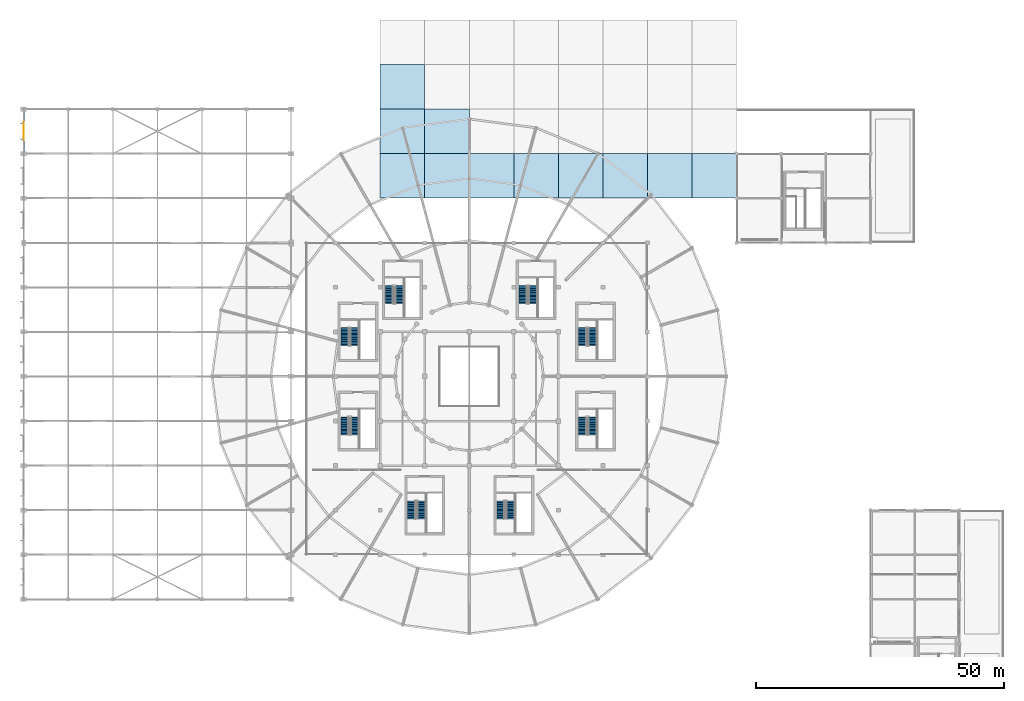
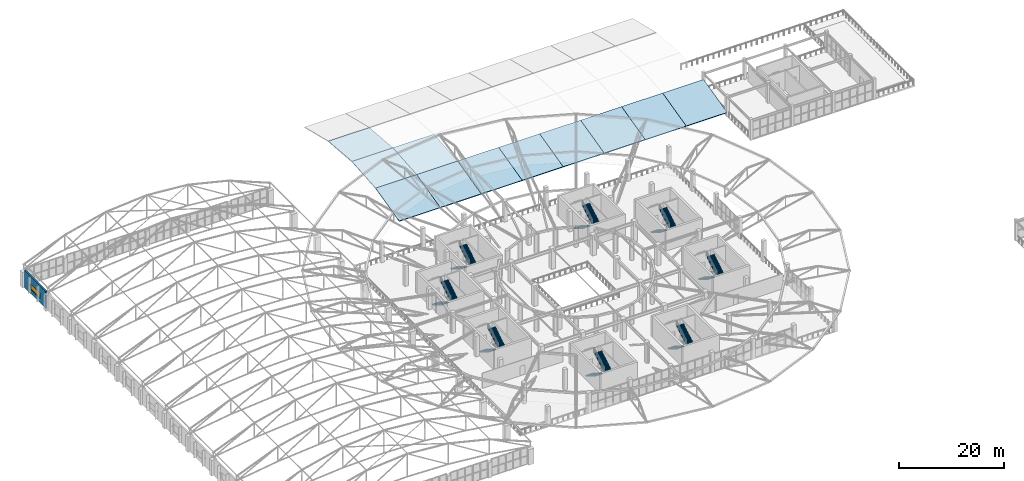
# One storey, part 144 of 167: 16 stair flights, 11 roofs, 1 wall, 1 window, 1 opening, 8 elements without a shape of their own.
"""IFC4 building model written with IfcOpenShell, lengths in metres."""

from ifc_helpers import new_model, si_unit, direction, frame, frame_2d, origin, place, context, subcontext, project, spatial, polyline, rectangle, outline, extrude, material, layer, layer_set, type_object, element, fill, aggregate, save


model = new_model("IFC4")

# Units and contexts
model_context = context("Model", 3, precision=1e-05, world=origin(), true_north=direction((0.0, 1.0)))
body_context = subcontext(model_context, "Body", "Model", "MODEL_VIEW")
ifc_project = project(units=[si_unit("LENGTHUNIT", "METRE"), si_unit("AREAUNIT", "SQUARE_METRE"), si_unit("VOLUMEUNIT", "CUBIC_METRE"), si_unit("PLANEANGLEUNIT", "RADIAN"), si_unit("MASSUNIT", "GRAM", prefix="KILO")], contexts=[model_context])

# Site, building, storey
site_placement = place(None, origin())
site = spatial("IfcSite", under=ifc_project, at=site_placement, CompositionType="ELEMENT")
building_placement = place(site_placement, origin())
building = spatial("IfcBuilding", under=site, at=building_placement, Name="Dornveld Trade and Exhibition Forum", CompositionType="ELEMENT")
storey_placement = place(building_placement, frame((0.0, 0.0, 16.800048828125)))
storey = spatial("IfcBuildingStorey", under=building, at=storey_placement, Name="L03", CompositionType="ELEMENT", Elevation=16.800048828125)

# Wall, opening, window
ifc_material_1 = material(Name="Precast concrete C50/60", Category="concrete")
ifc_layer_1 = layer(ifc_material_1, 0.31005859375)
ifc_layer_set_1 = layer_set([ifc_layer_1], Name="Precast concrete C50/60")
wall_type = type_object("IfcWallType", Name="WL-EXT-PC310", PredefinedType="SOLIDWALL", material=ifc_layer_set_1)
wall_placement = place(storey_placement, frame((27.0, 134.550537109375, 0.0), z_axis=(0.0, 0.0, 1.0), x_axis=(0.0, -1.0, 0.0)))
wall = element("IfcWall", 1, at=wall_placement, inside=storey, type_object=wall_type, Name="L03 precast facade wall 79", PredefinedType="SOLIDWALL", context=body_context, shape_type="SweptSolid", body=[
    extrude(rectangle(XDim=8.10107421875, YDim=0.31005859375, at=frame_2d((4.050537109375, 0.0))), origin(), (0.0, 0.0, 1.0), 4.02001953125),
])
opening_placement = place(wall_placement, frame((2.25048828125, 0.0, 1.0)))
opening = element("IfcOpeningElement", 2, at=opening_placement, cuts=wall, Name="Opening W-58", PredefinedType="OPENING", context=body_context, shape_type="SweptSolid", body=[
    extrude(rectangle(XDim=3.60009765625, YDim=1.300048828125, at=frame_2d((1.800048828125, 0.64990234375))), frame((0.0, 0.1650390625, 0.0), z_axis=(0.0, -1.0, 0.0), x_axis=(1.0, 0.0, 0.0)), (0.0, 0.0, 1.0), 0.330078125),
])
ifc_material_2 = material(Name="Dark-bronze anodised aluminium and low-E glass", Category="aluminium")
window_type = type_object("IfcWindowType", Name="WIN-AL-58", PartitioningType="DOUBLE_PANEL_VERTICAL", PredefinedType="WINDOW", material=ifc_material_2)
window_placement = place(opening_placement, origin())
window = element("IfcWindow", 3, at=window_placement, inside=storey, type_object=window_type, Name="L03 facade window 58", OverallHeight=1.300048828125, OverallWidth=3.60009765625, PartitioningType="SINGLE_PANEL", PredefinedType="WINDOW", context=body_context, shape_type="SweptSolid", body=[
    extrude(rectangle(XDim=3.60009765625, YDim=1.300048828125, at=frame_2d((1.800048828125, 0.64990234375))), frame((0.0, 0.030029296875, 0.0), z_axis=(0.0, -1.0, 0.0), x_axis=(1.0, 0.0, 0.0)), (0.0, 0.0, 1.0), 0.06005859375),
])
fill(opening, window)

# Stair, stair flights
ifc_material_3 = material(Name="Concrete C40/50", Category="concrete")
stair_type_1 = type_object("IfcStairType", Name="ST-2RET-480A", PredefinedType="HALF_TURN_STAIR", material=ifc_material_3)
stair_1_placement = place(storey_placement, origin())
stair_1 = element("IfcStair", 4, at=stair_1_placement, inside=storey, type_object=stair_type_1, Name="CORE-01 escape stair L03 to L04", PredefinedType="HALF_TURN_STAIR")
ifc_material_4 = material(Name="Concrete C40/50", Category="concrete")
ifc_layer_2 = layer(ifc_material_4, 0.179931640625)
ifc_layer_set_2 = layer_set([ifc_layer_2], Name="Concrete C40/50")
stair_flight_type_1 = type_object("IfcStairFlightType", Name="STF-155", PredefinedType="STRAIGHT", material=ifc_layer_set_2)
stair_flight_1_placement = place(storey_placement, frame((139.8798828125, 90.85009765625, 0.0), z_axis=(0.0, 0.0, 1.0), x_axis=(0.0, -1.0, 0.0)))
stair_flight_1 = element("IfcStairFlight", 5, at=stair_flight_1_placement, type_object=stair_flight_type_1, Name="ST-01-L03 flight 1", NumberOfRisers=14, NumberOfTreads=13, PredefinedType="STRAIGHT", RiserHeight=0.171428571, TreadLength=0.28, context=body_context, shape_type="SweptSolid", body=[
    extrude(outline(polyline([(0.0, 0.0), (0.0, 0.17138671875), (0.280029296875, 0.17138671875), (0.280029296875, 0.3427734375), (0.56005859375, 0.3427734375), (0.56005859375, 0.514404296875), (0.840087890625, 0.514404296875), (0.840087890625, 0.685791015625), (1.1201171875, 0.685791015625), (1.1201171875, 0.857177734375), (1.39990234375, 0.857177734375), (1.39990234375, 1.028564453125), (1.679931640625, 1.028564453125), (1.679931640625, 1.199951171875), (1.9599609375, 1.199951171875), (1.9599609375, 1.371337890625), (2.239990234375, 1.371337890625), (2.239990234375, 1.54296875), (2.52001953125, 1.54296875), (2.52001953125, 1.71435546875), (2.800048828125, 1.71435546875), (2.800048828125, 1.8857421875), (3.080078125, 1.8857421875), (3.080078125, 2.05712890625), (3.360107421875, 2.05712890625), (3.360107421875, 2.228515625), (3.639892578125, 2.228515625), (3.639892578125, 2.39990234375), (3.639892578125, 2.041015625), (0.30615234375, 0.0), (0.0, 0.0)])), frame((0.0, 0.77490234375, 0.0), z_axis=(0.0, -1.0, 0.0), x_axis=(1.0, 0.0, 0.0)), (0.0, 0.0, 1.0), 1.550048828125),
])
stair_flight_2_placement = place(storey_placement, frame((141.820068359375, 87.2099609375, 2.39990234375), z_axis=(0.0, 0.0, 1.0), x_axis=(0.0, 1.0, 0.0)))
stair_flight_2 = element("IfcStairFlight", 6, at=stair_flight_2_placement, type_object=stair_flight_type_1, Name="ST-01-L03 flight 2", NumberOfRisers=14, NumberOfTreads=13, PredefinedType="STRAIGHT", RiserHeight=0.171428571, TreadLength=0.28, context=body_context, shape_type="SweptSolid", body=[
    extrude(outline(polyline([(0.0, 0.0), (0.0, 0.17138671875), (0.280029296875, 0.17138671875), (0.280029296875, 0.3427734375), (0.56005859375, 0.3427734375), (0.56005859375, 0.514404296875), (0.840087890625, 0.514404296875), (0.840087890625, 0.685791015625), (1.1201171875, 0.685791015625), (1.1201171875, 0.857177734375), (1.39990234375, 0.857177734375), (1.39990234375, 1.028564453125), (1.679931640625, 1.028564453125), (1.679931640625, 1.199951171875), (1.9599609375, 1.199951171875), (1.9599609375, 1.371337890625), (2.239990234375, 1.371337890625), (2.239990234375, 1.54296875), (2.52001953125, 1.54296875), (2.52001953125, 1.71435546875), (2.800048828125, 1.71435546875), (2.800048828125, 1.8857421875), (3.080078125, 1.8857421875), (3.080078125, 2.05712890625), (3.360107421875, 2.05712890625), (3.360107421875, 2.228515625), (3.639892578125, 2.228515625), (3.639892578125, 2.39990234375), (3.639892578125, 2.041015625), (0.30615234375, 0.0), (0.0, 0.0)])), frame((0.0, 0.77490234375, 0.0), z_axis=(0.0, -1.0, 0.0), x_axis=(1.0, 0.0, 0.0)), (0.0, 0.0, 1.0), 1.550048828125),
])
aggregate(stair_1, [stair_flight_1, stair_flight_2])

stair_2_placement = place(storey_placement, origin())
stair_2 = element("IfcStair", 7, at=stair_2_placement, inside=storey, type_object=stair_type_1, Name="CORE-03 escape stair L03 to L04", PredefinedType="HALF_TURN_STAIR")
stair_flight_3_placement = place(storey_placement, frame((100.8798828125, 99.35009765625, 0.0), z_axis=(0.0, 0.0, 1.0), x_axis=(0.0, -1.0, 0.0)))
stair_flight_3 = element("IfcStairFlight", 8, at=stair_flight_3_placement, type_object=stair_flight_type_1, Name="ST-03-L03 flight 1", NumberOfRisers=14, NumberOfTreads=13, PredefinedType="STRAIGHT", RiserHeight=0.171428571, TreadLength=0.28, context=body_context, shape_type="SweptSolid", body=[
    extrude(outline(polyline([(0.0, 0.0), (0.0, 0.17138671875), (0.280029296875, 0.17138671875), (0.280029296875, 0.3427734375), (0.56005859375, 0.3427734375), (0.56005859375, 0.514404296875), (0.840087890625, 0.514404296875), (0.840087890625, 0.685791015625), (1.1201171875, 0.685791015625), (1.1201171875, 0.857177734375), (1.39990234375, 0.857177734375), (1.39990234375, 1.028564453125), (1.679931640625, 1.028564453125), (1.679931640625, 1.199951171875), (1.9599609375, 1.199951171875), (1.9599609375, 1.371337890625), (2.239990234375, 1.371337890625), (2.239990234375, 1.54296875), (2.52001953125, 1.54296875), (2.52001953125, 1.71435546875), (2.800048828125, 1.71435546875), (2.800048828125, 1.8857421875), (3.080078125, 1.8857421875), (3.080078125, 2.05712890625), (3.360107421875, 2.05712890625), (3.360107421875, 2.228515625), (3.639892578125, 2.228515625), (3.639892578125, 2.39990234375), (3.639892578125, 2.041015625), (0.30615234375, 0.0), (0.0, 0.0)])), frame((0.0, 0.77490234375, 0.0), z_axis=(0.0, -1.0, 0.0), x_axis=(1.0, 0.0, 0.0)), (0.0, 0.0, 1.0), 1.550048828125),
])
stair_flight_4_placement = place(storey_placement, frame((102.820068359375, 95.7099609375, 2.39990234375), z_axis=(0.0, 0.0, 1.0), x_axis=(0.0, 1.0, 0.0)))
stair_flight_4 = element("IfcStairFlight", 9, at=stair_flight_4_placement, type_object=stair_flight_type_1, Name="ST-03-L03 flight 2", NumberOfRisers=14, NumberOfTreads=13, PredefinedType="STRAIGHT", RiserHeight=0.171428571, TreadLength=0.28, context=body_context, shape_type="SweptSolid", body=[
    extrude(outline(polyline([(0.0, 0.0), (0.0, 0.17138671875), (0.280029296875, 0.17138671875), (0.280029296875, 0.3427734375), (0.56005859375, 0.3427734375), (0.56005859375, 0.514404296875), (0.840087890625, 0.514404296875), (0.840087890625, 0.685791015625), (1.1201171875, 0.685791015625), (1.1201171875, 0.857177734375), (1.39990234375, 0.857177734375), (1.39990234375, 1.028564453125), (1.679931640625, 1.028564453125), (1.679931640625, 1.199951171875), (1.9599609375, 1.199951171875), (1.9599609375, 1.371337890625), (2.239990234375, 1.371337890625), (2.239990234375, 1.54296875), (2.52001953125, 1.54296875), (2.52001953125, 1.71435546875), (2.800048828125, 1.71435546875), (2.800048828125, 1.8857421875), (3.080078125, 1.8857421875), (3.080078125, 2.05712890625), (3.360107421875, 2.05712890625), (3.360107421875, 2.228515625), (3.639892578125, 2.228515625), (3.639892578125, 2.39990234375), (3.639892578125, 2.041015625), (0.30615234375, 0.0), (0.0, 0.0)])), frame((0.0, 0.77490234375, 0.0), z_axis=(0.0, -1.0, 0.0), x_axis=(1.0, 0.0, 0.0)), (0.0, 0.0, 1.0), 1.550048828125),
])
aggregate(stair_2, [stair_flight_3, stair_flight_4])

stair_3_placement = place(storey_placement, origin())
stair_3 = element("IfcStair", 10, at=stair_3_placement, inside=storey, type_object=stair_type_1, Name="CORE-05 escape stair L03 to L04", PredefinedType="HALF_TURN_STAIR")
stair_flight_5_placement = place(storey_placement, frame((91.8798828125, 72.85009765625, 0.0), z_axis=(0.0, 0.0, 1.0), x_axis=(0.0, -1.0, 0.0)))
stair_flight_5 = element("IfcStairFlight", 11, at=stair_flight_5_placement, type_object=stair_flight_type_1, Name="ST-05-L03 flight 1", NumberOfRisers=14, NumberOfTreads=13, PredefinedType="STRAIGHT", RiserHeight=0.171428571, TreadLength=0.28, context=body_context, shape_type="SweptSolid", body=[
    extrude(outline(polyline([(0.0, 0.0), (0.0, 0.17138671875), (0.280029296875, 0.17138671875), (0.280029296875, 0.3427734375), (0.56005859375, 0.3427734375), (0.56005859375, 0.514404296875), (0.840087890625, 0.514404296875), (0.840087890625, 0.685791015625), (1.1201171875, 0.685791015625), (1.1201171875, 0.857177734375), (1.39990234375, 0.857177734375), (1.39990234375, 1.028564453125), (1.679931640625, 1.028564453125), (1.679931640625, 1.199951171875), (1.9599609375, 1.199951171875), (1.9599609375, 1.371337890625), (2.239990234375, 1.371337890625), (2.239990234375, 1.54296875), (2.52001953125, 1.54296875), (2.52001953125, 1.71435546875), (2.800048828125, 1.71435546875), (2.800048828125, 1.8857421875), (3.080078125, 1.8857421875), (3.080078125, 2.05712890625), (3.360107421875, 2.05712890625), (3.360107421875, 2.228515625), (3.639892578125, 2.228515625), (3.639892578125, 2.39990234375), (3.639892578125, 2.041015625), (0.30615234375, 0.0), (0.0, 0.0)])), frame((0.0, 0.77490234375, 0.0), z_axis=(0.0, -1.0, 0.0), x_axis=(1.0, 0.0, 0.0)), (0.0, 0.0, 1.0), 1.550048828125),
])
stair_flight_6_placement = place(storey_placement, frame((93.820068359375, 69.2099609375, 2.39990234375), z_axis=(0.0, 0.0, 1.0), x_axis=(0.0, 1.0, 0.0)))
stair_flight_6 = element("IfcStairFlight", 12, at=stair_flight_6_placement, type_object=stair_flight_type_1, Name="ST-05-L03 flight 2", NumberOfRisers=14, NumberOfTreads=13, PredefinedType="STRAIGHT", RiserHeight=0.171428571, TreadLength=0.28, context=body_context, shape_type="SweptSolid", body=[
    extrude(outline(polyline([(0.0, 0.0), (0.0, 0.17138671875), (0.280029296875, 0.17138671875), (0.280029296875, 0.3427734375), (0.56005859375, 0.3427734375), (0.56005859375, 0.514404296875), (0.840087890625, 0.514404296875), (0.840087890625, 0.685791015625), (1.1201171875, 0.685791015625), (1.1201171875, 0.857177734375), (1.39990234375, 0.857177734375), (1.39990234375, 1.028564453125), (1.679931640625, 1.028564453125), (1.679931640625, 1.199951171875), (1.9599609375, 1.199951171875), (1.9599609375, 1.371337890625), (2.239990234375, 1.371337890625), (2.239990234375, 1.54296875), (2.52001953125, 1.54296875), (2.52001953125, 1.71435546875), (2.800048828125, 1.71435546875), (2.800048828125, 1.8857421875), (3.080078125, 1.8857421875), (3.080078125, 2.05712890625), (3.360107421875, 2.05712890625), (3.360107421875, 2.228515625), (3.639892578125, 2.228515625), (3.639892578125, 2.39990234375), (3.639892578125, 2.041015625), (0.30615234375, 0.0), (0.0, 0.0)])), frame((0.0, 0.77490234375, 0.0), z_axis=(0.0, -1.0, 0.0), x_axis=(1.0, 0.0, 0.0)), (0.0, 0.0, 1.0), 1.550048828125),
])
aggregate(stair_3, [stair_flight_5, stair_flight_6])

stair_4_placement = place(storey_placement, origin())
stair_4 = element("IfcStair", 13, at=stair_4_placement, inside=storey, type_object=stair_type_1, Name="CORE-07 escape stair L03 to L04", PredefinedType="HALF_TURN_STAIR")
stair_flight_7_placement = place(storey_placement, frame((123.3798828125, 55.85009765625, 0.0), z_axis=(0.0, 0.0, 1.0), x_axis=(0.0, -1.0, 0.0)))
stair_flight_7 = element("IfcStairFlight", 14, at=stair_flight_7_placement, type_object=stair_flight_type_1, Name="ST-07-L03 flight 1", NumberOfRisers=14, NumberOfTreads=13, PredefinedType="STRAIGHT", RiserHeight=0.171428571, TreadLength=0.28, context=body_context, shape_type="SweptSolid", body=[
    extrude(outline(polyline([(0.0, 0.0), (0.0, 0.17138671875), (0.280029296875, 0.17138671875), (0.280029296875, 0.3427734375), (0.56005859375, 0.3427734375), (0.56005859375, 0.514404296875), (0.840087890625, 0.514404296875), (0.840087890625, 0.685791015625), (1.1201171875, 0.685791015625), (1.1201171875, 0.857177734375), (1.39990234375, 0.857177734375), (1.39990234375, 1.028564453125), (1.679931640625, 1.028564453125), (1.679931640625, 1.199951171875), (1.9599609375, 1.199951171875), (1.9599609375, 1.371337890625), (2.239990234375, 1.371337890625), (2.239990234375, 1.54296875), (2.52001953125, 1.54296875), (2.52001953125, 1.71435546875), (2.800048828125, 1.71435546875), (2.800048828125, 1.8857421875), (3.080078125, 1.8857421875), (3.080078125, 2.05712890625), (3.360107421875, 2.05712890625), (3.360107421875, 2.228515625), (3.639892578125, 2.228515625), (3.639892578125, 2.39990234375), (3.639892578125, 2.041015625), (0.30615234375, 0.0), (0.0, 0.0)])), frame((0.0, 0.77490234375, 0.0), z_axis=(0.0, -1.0, 0.0), x_axis=(1.0, 0.0, 0.0)), (0.0, 0.0, 1.0), 1.550048828125),
])
stair_flight_8_placement = place(storey_placement, frame((125.320068359375, 52.2099609375, 2.39990234375), z_axis=(0.0, 0.0, 1.0), x_axis=(0.0, 1.0, 0.0)))
stair_flight_8 = element("IfcStairFlight", 15, at=stair_flight_8_placement, type_object=stair_flight_type_1, Name="ST-07-L03 flight 2", NumberOfRisers=14, NumberOfTreads=13, PredefinedType="STRAIGHT", RiserHeight=0.171428571, TreadLength=0.28, context=body_context, shape_type="SweptSolid", body=[
    extrude(outline(polyline([(0.0, 0.0), (0.0, 0.17138671875), (0.280029296875, 0.17138671875), (0.280029296875, 0.3427734375), (0.56005859375, 0.3427734375), (0.56005859375, 0.514404296875), (0.840087890625, 0.514404296875), (0.840087890625, 0.685791015625), (1.1201171875, 0.685791015625), (1.1201171875, 0.857177734375), (1.39990234375, 0.857177734375), (1.39990234375, 1.028564453125), (1.679931640625, 1.028564453125), (1.679931640625, 1.199951171875), (1.9599609375, 1.199951171875), (1.9599609375, 1.371337890625), (2.239990234375, 1.371337890625), (2.239990234375, 1.54296875), (2.52001953125, 1.54296875), (2.52001953125, 1.71435546875), (2.800048828125, 1.71435546875), (2.800048828125, 1.8857421875), (3.080078125, 1.8857421875), (3.080078125, 2.05712890625), (3.360107421875, 2.05712890625), (3.360107421875, 2.228515625), (3.639892578125, 2.228515625), (3.639892578125, 2.39990234375), (3.639892578125, 2.041015625), (0.30615234375, 0.0), (0.0, 0.0)])), frame((0.0, 0.77490234375, 0.0), z_axis=(0.0, -1.0, 0.0), x_axis=(1.0, 0.0, 0.0)), (0.0, 0.0, 1.0), 1.550048828125),
])
aggregate(stair_4, [stair_flight_7, stair_flight_8])

ifc_material_5 = material(Name="Concrete C40/50", Category="concrete")
stair_type_2 = type_object("IfcStairType", Name="ST-2RET-480B", PredefinedType="HALF_TURN_STAIR", material=ifc_material_5)
stair_5_placement = place(storey_placement, origin())
stair_5 = element("IfcStair", 16, at=stair_5_placement, inside=storey, type_object=stair_type_2, Name="CORE-02 escape stair L03 to L04", PredefinedType="HALF_TURN_STAIR")
ifc_material_6 = material(Name="Concrete C40/50", Category="concrete")
ifc_layer_3 = layer(ifc_material_6, 0.179931640625)
ifc_layer_set_3 = layer_set([ifc_layer_3], Name="Concrete C40/50")
stair_flight_type_2 = type_object("IfcStairFlightType", Name="STF-162", PredefinedType="STRAIGHT", material=ifc_layer_set_3)
stair_flight_9_placement = place(storey_placement, frame((127.8798828125, 99.35009765625, 0.0), z_axis=(0.0, 0.0, 1.0), x_axis=(0.0, -1.0, 0.0)))
stair_flight_9 = element("IfcStairFlight", 17, at=stair_flight_9_placement, type_object=stair_flight_type_2, Name="ST-02-L03 flight 1", NumberOfRisers=14, NumberOfTreads=13, PredefinedType="STRAIGHT", RiserHeight=0.171428571, TreadLength=0.28, context=body_context, shape_type="SweptSolid", body=[
    extrude(outline(polyline([(0.0, 0.0), (0.0, 0.17138671875), (0.280029296875, 0.17138671875), (0.280029296875, 0.3427734375), (0.56005859375, 0.3427734375), (0.56005859375, 0.514404296875), (0.840087890625, 0.514404296875), (0.840087890625, 0.685791015625), (1.1201171875, 0.685791015625), (1.1201171875, 0.857177734375), (1.39990234375, 0.857177734375), (1.39990234375, 1.028564453125), (1.679931640625, 1.028564453125), (1.679931640625, 1.199951171875), (1.9599609375, 1.199951171875), (1.9599609375, 1.371337890625), (2.239990234375, 1.371337890625), (2.239990234375, 1.54296875), (2.52001953125, 1.54296875), (2.52001953125, 1.71435546875), (2.800048828125, 1.71435546875), (2.800048828125, 1.8857421875), (3.080078125, 1.8857421875), (3.080078125, 2.05712890625), (3.360107421875, 2.05712890625), (3.360107421875, 2.228515625), (3.639892578125, 2.228515625), (3.639892578125, 2.39990234375), (3.639892578125, 2.041015625), (0.30615234375, 0.0), (0.0, 0.0)])), frame((0.0, 0.81005859375, 0.0), z_axis=(0.0, -1.0, 0.0), x_axis=(1.0, 0.0, 0.0)), (0.0, 0.0, 1.0), 1.6201171875),
])
stair_flight_10_placement = place(storey_placement, frame((129.820068359375, 95.7099609375, 2.39990234375), z_axis=(0.0, 0.0, 1.0), x_axis=(0.0, 1.0, 0.0)))
stair_flight_10 = element("IfcStairFlight", 18, at=stair_flight_10_placement, type_object=stair_flight_type_2, Name="ST-02-L03 flight 2", NumberOfRisers=14, NumberOfTreads=13, PredefinedType="STRAIGHT", RiserHeight=0.171428571, TreadLength=0.28, context=body_context, shape_type="SweptSolid", body=[
    extrude(outline(polyline([(0.0, 0.0), (0.0, 0.17138671875), (0.280029296875, 0.17138671875), (0.280029296875, 0.3427734375), (0.56005859375, 0.3427734375), (0.56005859375, 0.514404296875), (0.840087890625, 0.514404296875), (0.840087890625, 0.685791015625), (1.1201171875, 0.685791015625), (1.1201171875, 0.857177734375), (1.39990234375, 0.857177734375), (1.39990234375, 1.028564453125), (1.679931640625, 1.028564453125), (1.679931640625, 1.199951171875), (1.9599609375, 1.199951171875), (1.9599609375, 1.371337890625), (2.239990234375, 1.371337890625), (2.239990234375, 1.54296875), (2.52001953125, 1.54296875), (2.52001953125, 1.71435546875), (2.800048828125, 1.71435546875), (2.800048828125, 1.8857421875), (3.080078125, 1.8857421875), (3.080078125, 2.05712890625), (3.360107421875, 2.05712890625), (3.360107421875, 2.228515625), (3.639892578125, 2.228515625), (3.639892578125, 2.39990234375), (3.639892578125, 2.041015625), (0.30615234375, 0.0), (0.0, 0.0)])), frame((0.0, 0.81005859375, 0.0), z_axis=(0.0, -1.0, 0.0), x_axis=(1.0, 0.0, 0.0)), (0.0, 0.0, 1.0), 1.6201171875),
])
aggregate(stair_5, [stair_flight_9, stair_flight_10])

stair_6_placement = place(storey_placement, origin())
stair_6 = element("IfcStair", 19, at=stair_6_placement, inside=storey, type_object=stair_type_2, Name="CORE-04 escape stair L03 to L04", PredefinedType="HALF_TURN_STAIR")
stair_flight_11_placement = place(storey_placement, frame((91.8798828125, 90.85009765625, 0.0), z_axis=(0.0, 0.0, 1.0), x_axis=(0.0, -1.0, 0.0)))
stair_flight_11 = element("IfcStairFlight", 20, at=stair_flight_11_placement, type_object=stair_flight_type_2, Name="ST-04-L03 flight 1", NumberOfRisers=14, NumberOfTreads=13, PredefinedType="STRAIGHT", RiserHeight=0.171428571, TreadLength=0.28, context=body_context, shape_type="SweptSolid", body=[
    extrude(outline(polyline([(0.0, 0.0), (0.0, 0.17138671875), (0.280029296875, 0.17138671875), (0.280029296875, 0.3427734375), (0.56005859375, 0.3427734375), (0.56005859375, 0.514404296875), (0.840087890625, 0.514404296875), (0.840087890625, 0.685791015625), (1.1201171875, 0.685791015625), (1.1201171875, 0.857177734375), (1.39990234375, 0.857177734375), (1.39990234375, 1.028564453125), (1.679931640625, 1.028564453125), (1.679931640625, 1.199951171875), (1.9599609375, 1.199951171875), (1.9599609375, 1.371337890625), (2.239990234375, 1.371337890625), (2.239990234375, 1.54296875), (2.52001953125, 1.54296875), (2.52001953125, 1.71435546875), (2.800048828125, 1.71435546875), (2.800048828125, 1.8857421875), (3.080078125, 1.8857421875), (3.080078125, 2.05712890625), (3.360107421875, 2.05712890625), (3.360107421875, 2.228515625), (3.639892578125, 2.228515625), (3.639892578125, 2.39990234375), (3.639892578125, 2.041015625), (0.30615234375, 0.0), (0.0, 0.0)])), frame((0.0, 0.81005859375, 0.0), z_axis=(0.0, -1.0, 0.0), x_axis=(1.0, 0.0, 0.0)), (0.0, 0.0, 1.0), 1.6201171875),
])
stair_flight_12_placement = place(storey_placement, frame((93.820068359375, 87.2099609375, 2.39990234375), z_axis=(0.0, 0.0, 1.0), x_axis=(0.0, 1.0, 0.0)))
stair_flight_12 = element("IfcStairFlight", 21, at=stair_flight_12_placement, type_object=stair_flight_type_2, Name="ST-04-L03 flight 2", NumberOfRisers=14, NumberOfTreads=13, PredefinedType="STRAIGHT", RiserHeight=0.171428571, TreadLength=0.28, context=body_context, shape_type="SweptSolid", body=[
    extrude(outline(polyline([(0.0, 0.0), (0.0, 0.17138671875), (0.280029296875, 0.17138671875), (0.280029296875, 0.3427734375), (0.56005859375, 0.3427734375), (0.56005859375, 0.514404296875), (0.840087890625, 0.514404296875), (0.840087890625, 0.685791015625), (1.1201171875, 0.685791015625), (1.1201171875, 0.857177734375), (1.39990234375, 0.857177734375), (1.39990234375, 1.028564453125), (1.679931640625, 1.028564453125), (1.679931640625, 1.199951171875), (1.9599609375, 1.199951171875), (1.9599609375, 1.371337890625), (2.239990234375, 1.371337890625), (2.239990234375, 1.54296875), (2.52001953125, 1.54296875), (2.52001953125, 1.71435546875), (2.800048828125, 1.71435546875), (2.800048828125, 1.8857421875), (3.080078125, 1.8857421875), (3.080078125, 2.05712890625), (3.360107421875, 2.05712890625), (3.360107421875, 2.228515625), (3.639892578125, 2.228515625), (3.639892578125, 2.39990234375), (3.639892578125, 2.041015625), (0.30615234375, 0.0), (0.0, 0.0)])), frame((0.0, 0.81005859375, 0.0), z_axis=(0.0, -1.0, 0.0), x_axis=(1.0, 0.0, 0.0)), (0.0, 0.0, 1.0), 1.6201171875),
])
aggregate(stair_6, [stair_flight_11, stair_flight_12])

stair_7_placement = place(storey_placement, origin())
stair_7 = element("IfcStair", 22, at=stair_7_placement, inside=storey, type_object=stair_type_2, Name="CORE-06 escape stair L03 to L04", PredefinedType="HALF_TURN_STAIR")
stair_flight_13_placement = place(storey_placement, frame((105.3798828125, 55.85009765625, 0.0), z_axis=(0.0, 0.0, 1.0), x_axis=(0.0, -1.0, 0.0)))
stair_flight_13 = element("IfcStairFlight", 23, at=stair_flight_13_placement, type_object=stair_flight_type_2, Name="ST-06-L03 flight 1", NumberOfRisers=14, NumberOfTreads=13, PredefinedType="STRAIGHT", RiserHeight=0.171428571, TreadLength=0.28, context=body_context, shape_type="SweptSolid", body=[
    extrude(outline(polyline([(0.0, 0.0), (0.0, 0.17138671875), (0.280029296875, 0.17138671875), (0.280029296875, 0.3427734375), (0.56005859375, 0.3427734375), (0.56005859375, 0.514404296875), (0.840087890625, 0.514404296875), (0.840087890625, 0.685791015625), (1.1201171875, 0.685791015625), (1.1201171875, 0.857177734375), (1.39990234375, 0.857177734375), (1.39990234375, 1.028564453125), (1.679931640625, 1.028564453125), (1.679931640625, 1.199951171875), (1.9599609375, 1.199951171875), (1.9599609375, 1.371337890625), (2.239990234375, 1.371337890625), (2.239990234375, 1.54296875), (2.52001953125, 1.54296875), (2.52001953125, 1.71435546875), (2.800048828125, 1.71435546875), (2.800048828125, 1.8857421875), (3.080078125, 1.8857421875), (3.080078125, 2.05712890625), (3.360107421875, 2.05712890625), (3.360107421875, 2.228515625), (3.639892578125, 2.228515625), (3.639892578125, 2.39990234375), (3.639892578125, 2.041015625), (0.30615234375, 0.0), (0.0, 0.0)])), frame((0.0, 0.81005859375, 0.0), z_axis=(0.0, -1.0, 0.0), x_axis=(1.0, 0.0, 0.0)), (0.0, 0.0, 1.0), 1.6201171875),
])
stair_flight_14_placement = place(storey_placement, frame((107.320068359375, 52.2099609375, 2.39990234375), z_axis=(0.0, 0.0, 1.0), x_axis=(0.0, 1.0, 0.0)))
stair_flight_14 = element("IfcStairFlight", 24, at=stair_flight_14_placement, type_object=stair_flight_type_2, Name="ST-06-L03 flight 2", NumberOfRisers=14, NumberOfTreads=13, PredefinedType="STRAIGHT", RiserHeight=0.171428571, TreadLength=0.28, context=body_context, shape_type="SweptSolid", body=[
    extrude(outline(polyline([(0.0, 0.0), (0.0, 0.17138671875), (0.280029296875, 0.17138671875), (0.280029296875, 0.3427734375), (0.56005859375, 0.3427734375), (0.56005859375, 0.514404296875), (0.840087890625, 0.514404296875), (0.840087890625, 0.685791015625), (1.1201171875, 0.685791015625), (1.1201171875, 0.857177734375), (1.39990234375, 0.857177734375), (1.39990234375, 1.028564453125), (1.679931640625, 1.028564453125), (1.679931640625, 1.199951171875), (1.9599609375, 1.199951171875), (1.9599609375, 1.371337890625), (2.239990234375, 1.371337890625), (2.239990234375, 1.54296875), (2.52001953125, 1.54296875), (2.52001953125, 1.71435546875), (2.800048828125, 1.71435546875), (2.800048828125, 1.8857421875), (3.080078125, 1.8857421875), (3.080078125, 2.05712890625), (3.360107421875, 2.05712890625), (3.360107421875, 2.228515625), (3.639892578125, 2.228515625), (3.639892578125, 2.39990234375), (3.639892578125, 2.041015625), (0.30615234375, 0.0), (0.0, 0.0)])), frame((0.0, 0.81005859375, 0.0), z_axis=(0.0, -1.0, 0.0), x_axis=(1.0, 0.0, 0.0)), (0.0, 0.0, 1.0), 1.6201171875),
])
aggregate(stair_7, [stair_flight_13, stair_flight_14])

stair_8_placement = place(storey_placement, origin())
stair_8 = element("IfcStair", 25, at=stair_8_placement, inside=storey, type_object=stair_type_2, Name="CORE-08 escape stair L03 to L04", PredefinedType="HALF_TURN_STAIR")
stair_flight_15_placement = place(storey_placement, frame((139.8798828125, 72.85009765625, 0.0), z_axis=(0.0, 0.0, 1.0), x_axis=(0.0, -1.0, 0.0)))
stair_flight_15 = element("IfcStairFlight", 26, at=stair_flight_15_placement, type_object=stair_flight_type_2, Name="ST-08-L03 flight 1", NumberOfRisers=14, NumberOfTreads=13, PredefinedType="STRAIGHT", RiserHeight=0.171428571, TreadLength=0.28, context=body_context, shape_type="SweptSolid", body=[
    extrude(outline(polyline([(0.0, 0.0), (0.0, 0.17138671875), (0.280029296875, 0.17138671875), (0.280029296875, 0.3427734375), (0.56005859375, 0.3427734375), (0.56005859375, 0.514404296875), (0.840087890625, 0.514404296875), (0.840087890625, 0.685791015625), (1.1201171875, 0.685791015625), (1.1201171875, 0.857177734375), (1.39990234375, 0.857177734375), (1.39990234375, 1.028564453125), (1.679931640625, 1.028564453125), (1.679931640625, 1.199951171875), (1.9599609375, 1.199951171875), (1.9599609375, 1.371337890625), (2.239990234375, 1.371337890625), (2.239990234375, 1.54296875), (2.52001953125, 1.54296875), (2.52001953125, 1.71435546875), (2.800048828125, 1.71435546875), (2.800048828125, 1.8857421875), (3.080078125, 1.8857421875), (3.080078125, 2.05712890625), (3.360107421875, 2.05712890625), (3.360107421875, 2.228515625), (3.639892578125, 2.228515625), (3.639892578125, 2.39990234375), (3.639892578125, 2.041015625), (0.30615234375, 0.0), (0.0, 0.0)])), frame((0.0, 0.81005859375, 0.0), z_axis=(0.0, -1.0, 0.0), x_axis=(1.0, 0.0, 0.0)), (0.0, 0.0, 1.0), 1.6201171875),
])
stair_flight_16_placement = place(storey_placement, frame((141.820068359375, 69.2099609375, 2.39990234375), z_axis=(0.0, 0.0, 1.0), x_axis=(0.0, 1.0, 0.0)))
stair_flight_16 = element("IfcStairFlight", 27, at=stair_flight_16_placement, type_object=stair_flight_type_2, Name="ST-08-L03 flight 2", NumberOfRisers=14, NumberOfTreads=13, PredefinedType="STRAIGHT", RiserHeight=0.171428571, TreadLength=0.28, context=body_context, shape_type="SweptSolid", body=[
    extrude(outline(polyline([(0.0, 0.0), (0.0, 0.17138671875), (0.280029296875, 0.17138671875), (0.280029296875, 0.3427734375), (0.56005859375, 0.3427734375), (0.56005859375, 0.514404296875), (0.840087890625, 0.514404296875), (0.840087890625, 0.685791015625), (1.1201171875, 0.685791015625), (1.1201171875, 0.857177734375), (1.39990234375, 0.857177734375), (1.39990234375, 1.028564453125), (1.679931640625, 1.028564453125), (1.679931640625, 1.199951171875), (1.9599609375, 1.199951171875), (1.9599609375, 1.371337890625), (2.239990234375, 1.371337890625), (2.239990234375, 1.54296875), (2.52001953125, 1.54296875), (2.52001953125, 1.71435546875), (2.800048828125, 1.71435546875), (2.800048828125, 1.8857421875), (3.080078125, 1.8857421875), (3.080078125, 2.05712890625), (3.360107421875, 2.05712890625), (3.360107421875, 2.228515625), (3.639892578125, 2.228515625), (3.639892578125, 2.39990234375), (3.639892578125, 2.041015625), (0.30615234375, 0.0), (0.0, 0.0)])), frame((0.0, 0.81005859375, 0.0), z_axis=(0.0, -1.0, 0.0), x_axis=(1.0, 0.0, 0.0)), (0.0, 0.0, 1.0), 1.6201171875),
])
aggregate(stair_8, [stair_flight_15, stair_flight_16])

# Roofs
ifc_material_7 = material(Name="Steel S355J2", Category="steel")
ifc_layer_4 = layer(ifc_material_7, 0.179931640625)
ifc_layer_set_4 = layer_set([ifc_layer_4], Name="Steel S355J2")
roof_type = type_object("IfcRoofType", Name="RF-ARCH-HALL1", PredefinedType="BARREL_ROOF", material=ifc_layer_set_4)
roof_1_placement = place(storey_placement, frame((99.0, 117.0, 0.78662109375), z_axis=(0.0, -0.237448117444, 0.971400222114), x_axis=(1.0, 0.0, 0.0)))
element("IfcRoof", 28, at=roof_1_placement, inside=storey, type_object=roof_type, Name="H1 arched roof bay 1 facet 2", PredefinedType="BARREL_ROOF", context=body_context, shape_type="SweptSolid", body=[
    extrude(outline(polyline([(0.0, 0.0), (9.0, 0.0), (9.0, 9.264976263252603), (0.0, 9.264976263252603), (0.0, 0.0)])), origin(), (0.0, 0.0, -1.0), 0.179931640625),
])
for number, where, z_axis, x_axis, name in (
    (29, (99.0, 126.0, 2.986572265625), (0.0, -0.081219496064, 0.996696239312), (1.0, 0.0, 0.0), "H1 arched roof bay 1 facet 3"),
    (30, (99.0, 135.0, 3.719970703125), (0.0, 0.081219496064, 0.996696239312), (1.0, 0.0, 0.0), "H1 arched roof bay 1 facet 4"),
):
    element("IfcRoof", number, at=place(storey_placement, frame(where, z_axis=z_axis, x_axis=x_axis)), inside=storey, type_object=roof_type, Name=name, PredefinedType="BARREL_ROOF", context=body_context, shape_type="SweptSolid", body=[
        extrude(outline(polyline([(0.0, 0.0), (9.0, 0.0), (9.0, 9.0298324053178), (0.0, 9.0298324053178), (0.0, 0.0)])), origin(), (0.0, 0.0, -1.0), 0.179931640625),
    ])
roof_2_placement = place(storey_placement, frame((108.0, 117.0, 0.78662109375), z_axis=(0.0, -0.237448117444, 0.971400222114), x_axis=(1.0, 0.0, 0.0)))
element("IfcRoof", 31, at=roof_2_placement, inside=storey, type_object=roof_type, Name="H1 arched roof bay 2 facet 2", PredefinedType="BARREL_ROOF", context=body_context, shape_type="SweptSolid", body=[
    extrude(outline(polyline([(0.0, 0.0), (9.0, 0.0), (9.0, 9.264976263252603), (0.0, 9.264976263252603), (0.0, 0.0)])), origin(), (0.0, 0.0, -1.0), 0.179931640625),
])
roof_3_placement = place(storey_placement, frame((108.0, 126.0, 2.986572265625), z_axis=(0.0, -0.081219496064, 0.996696239312), x_axis=(1.0, 0.0, 0.0)))
element("IfcRoof", 32, at=roof_3_placement, inside=storey, type_object=roof_type, Name="H1 arched roof bay 2 facet 3", PredefinedType="BARREL_ROOF", context=body_context, shape_type="SweptSolid", body=[
    extrude(outline(polyline([(0.0, 0.0), (9.0, 0.0), (9.0, 9.0298324053178), (0.0, 9.0298324053178), (0.0, 0.0)])), origin(), (0.0, 0.0, -1.0), 0.179931640625),
])
for number, where, z_axis, x_axis, name in (
    (33, (117.0, 117.0, 0.78662109375), (0.0, -0.237448117444, 0.971400222114), (1.0, 0.0, 0.0), "H1 arched roof bay 3 facet 2"),
    (34, (126.0, 117.0, 0.78662109375), (0.0, -0.237448117444, 0.971400222114), (1.0, 0.0, 0.0), "H1 arched roof bay 4 facet 2"),
    (35, (135.0, 117.0, 0.78662109375), (0.0, -0.237448117444, 0.971400222114), (1.0, 0.0, 0.0), "H1 arched roof bay 5 facet 2"),
    (36, (144.0, 117.0, 0.78662109375), (0.0, -0.237448117444, 0.971400222114), (1.0, 0.0, 0.0), "H1 arched roof bay 6 facet 2"),
    (37, (153.0, 117.0, 0.78662109375), (0.0, -0.237448117444, 0.971400222114), (1.0, 0.0, 0.0), "H1 arched roof bay 7 facet 2"),
    (38, (162.0, 117.0, 0.78662109375), (0.0, -0.237448117444, 0.971400222114), (1.0, 0.0, 0.0), "H1 arched roof bay 8 facet 2"),
):
    element("IfcRoof", number, at=place(storey_placement, frame(where, z_axis=z_axis, x_axis=x_axis)), inside=storey, type_object=roof_type, Name=name, PredefinedType="BARREL_ROOF", context=body_context, shape_type="SweptSolid", body=[
        extrude(outline(polyline([(0.0, 0.0), (9.0, 0.0), (9.0, 9.264976263252603), (0.0, 9.264976263252603), (0.0, 0.0)])), origin(), (0.0, 0.0, -1.0), 0.179931640625),
    ])

save(model, "model.ifc")
